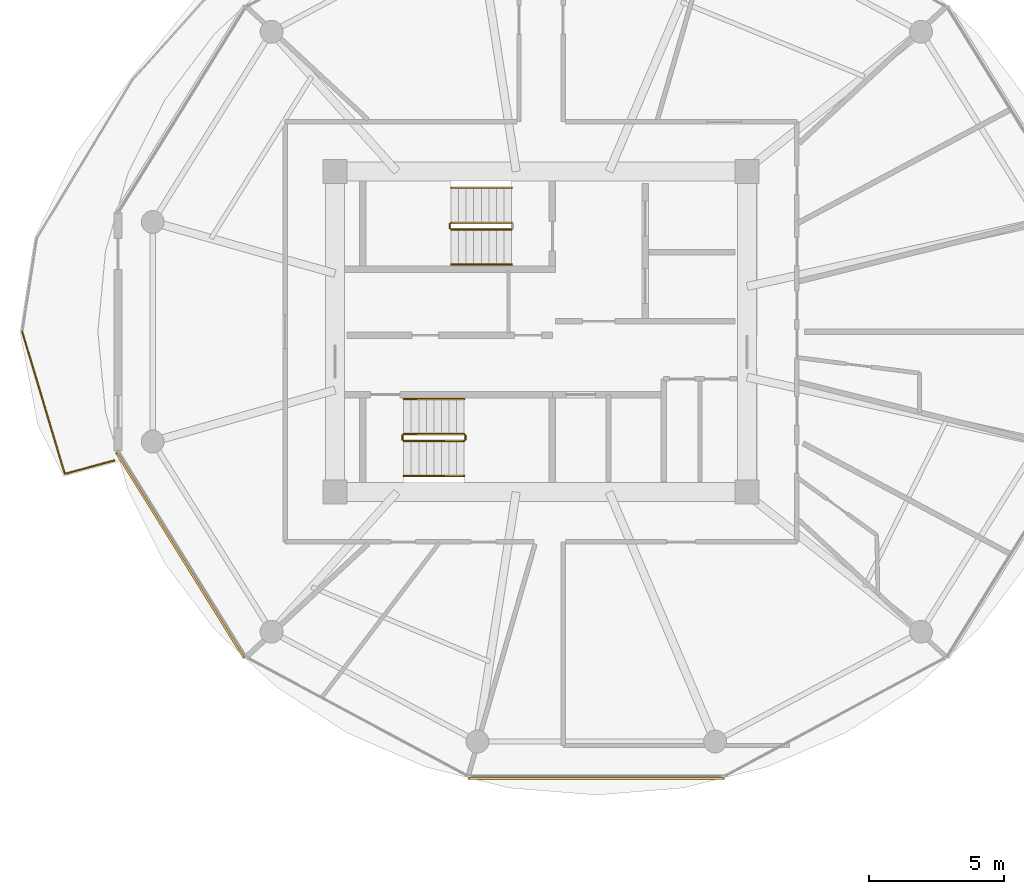
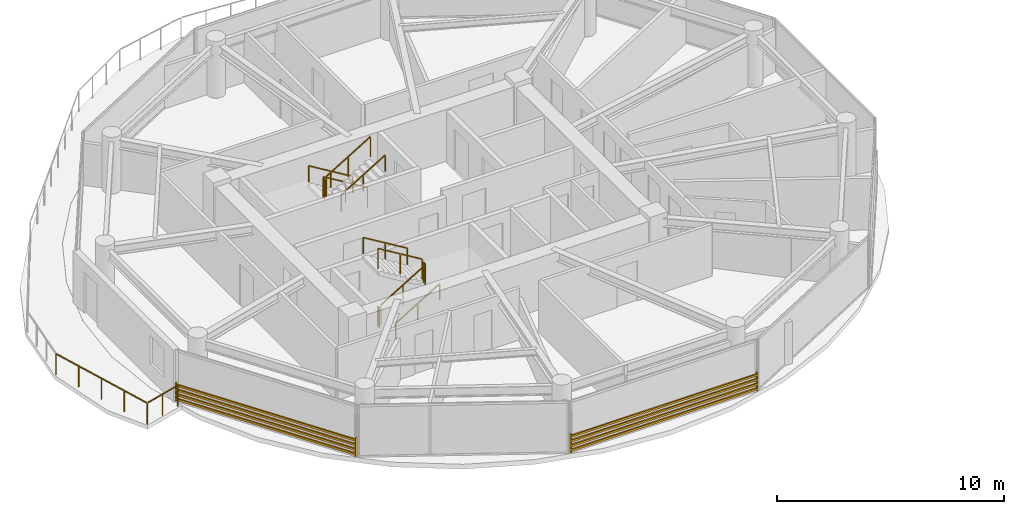
# One storey, part 19 of 22: 12 railings, 2 shading devices.
"""IFC4 building model written with IfcOpenShell, lengths in metres."""

from ifc_helpers import new_model, si_unit, direction, frame, origin, origin_2d, place, context, subcontext, project, spatial, rectangle, extrude, source, transform, mapped, material, type_object, type_shapes, element, save


model = new_model("IFC4")

# Units and contexts
model_context = context("Model", 3, precision=1e-05, world=origin(), true_north=direction((0.0, 1.0)))
body_context = subcontext(model_context, "Body", "Model", "MODEL_VIEW")
ifc_project = project(units=[si_unit("LENGTHUNIT", "METRE"), si_unit("AREAUNIT", "SQUARE_METRE"), si_unit("VOLUMEUNIT", "CUBIC_METRE"), si_unit("PLANEANGLEUNIT", "RADIAN"), si_unit("MASSUNIT", "GRAM", prefix="KILO")], contexts=[model_context])

# Site, building, storey
site_placement = place(None, origin())
site = spatial("IfcSite", under=ifc_project, at=site_placement, CompositionType="ELEMENT")
building_placement = place(site_placement, origin())
building = spatial("IfcBuilding", under=site, at=building_placement, Name="Norrkilde Senior Care Towers", CompositionType="ELEMENT")
storey_placement = place(building_placement, frame((0.0, 0.0, 87.10009765625)))
storey = spatial("IfcBuildingStorey", under=building, at=storey_placement, Name="L26", CompositionType="ELEMENT", Elevation=87.10009765625)

# Railings
ifc_material_1 = material(Name="Anodised Aluminium", Category="aluminium")
railing_type_1 = type_object("IfcRailingType", Name="Balcony Swirl Ribbon Guardrail 1150", PredefinedType="GUARDRAIL", material=ifc_material_1)
railing_1_placement = place(storey_placement, frame((-43.8408203125, -4.77490234375, 0.0)))
element("IfcRailing", 1, at=railing_1_placement, inside=storey, type_object=railing_type_1, Name="L26 Perimeter Safety Guard 04", PredefinedType="GUARDRAIL", context=body_context, shape_type="SweptSolid", body=[
    extrude(rectangle(XDim=0.048095703125, YDim=0.048095703125, at=origin_2d()), frame((0.0, 0.0, 1.1259765625), z_axis=(-0.965058618211, -0.262034088271, 0.0), x_axis=(0.262034088271, -0.965058618211, 0.0)), (0.0, 0.0, 1.0), 1.866455078125),
    extrude(rectangle(XDim=0.048095703125, YDim=0.048095703125, at=origin_2d()), frame((-1.852294921875, -0.460693359375, 1.1259765625), z_axis=(-0.287417008189, 0.957805545716, 0.0), x_axis=(-0.957805545716, -0.287417008189, 0.0)), (0.0, 0.0, 1.0), 5.4677734375),
    extrude(rectangle(XDim=0.0419921875, YDim=0.0419921875, at=origin_2d()), origin(), (0.0, 0.0, 1.0), 1.099853515625),
    extrude(rectangle(XDim=0.0419921875, YDim=0.0419921875, at=origin_2d()), frame((-0.92041015625, -0.25, 0.0)), (0.0, 0.0, 1.0), 1.099853515625),
    extrude(rectangle(XDim=0.0419921875, YDim=0.0419921875, at=origin_2d()), frame((-1.840576171875, -0.499755859375, 0.0)), (0.0, 0.0, 1.0), 1.099853515625),
    extrude(rectangle(XDim=0.0419921875, YDim=0.0419921875, at=origin_2d()), frame((-2.236328125, 0.8193359375, 0.0)), (0.0, 0.0, 1.0), 1.099853515625),
    extrude(rectangle(XDim=0.0419921875, YDim=0.0419921875, at=origin_2d()), frame((-2.63232421875, 2.13818359375, 0.0)), (0.0, 0.0, 1.0), 1.099853515625),
    extrude(rectangle(XDim=0.0419921875, YDim=0.0419921875, at=origin_2d()), frame((-3.028076171875, 3.457275390625, 0.0)), (0.0, 0.0, 1.0), 1.099853515625),
    extrude(rectangle(XDim=0.0419921875, YDim=0.0419921875, at=origin_2d()), frame((-3.423828125, 4.7763671875, 0.0)), (0.0, 0.0, 1.0), 1.099853515625),
])
ifc_material_2 = material(Name="Stainless Steel", Category="steel")
railing_type_2 = type_object("IfcRailingType", Name="Stair and Terrace Guardrail 1100", PredefinedType="GUARDRAIL", material=ifc_material_2)
railing_2_placement = place(storey_placement, frame((-29.10009765625, 4.050048828125, 0.16943359375)))
element("IfcRailing", 2, at=railing_2_placement, inside=storey, type_object=railing_type_2, Name="L26 ST-W1 stair guard 1", PredefinedType="GUARDRAIL", context=body_context, shape_type="SweptSolid", body=[
    extrude(rectangle(XDim=0.048095703125, YDim=0.048095703125, at=origin_2d()), frame((0.0, 0.0, 1.076171875), z_axis=(-0.855553338991, 0.0, 0.51771467445), x_axis=(0.0, -1.0, 0.0)), (0.0, 0.0, 1.0), 2.6181640625),
    extrude(rectangle(XDim=0.0419921875, YDim=0.0419921875, at=origin_2d()), origin(), (0.0, 0.0, 1.0), 1.050048828125),
    extrude(rectangle(XDim=0.0419921875, YDim=0.0419921875, at=origin_2d()), frame((-1.1201171875, 0.0, 0.677734375)), (0.0, 0.0, 1.0), 1.050048828125),
    extrude(rectangle(XDim=0.0419921875, YDim=0.0419921875, at=origin_2d()), frame((-2.239990234375, 0.0, 1.35546875)), (0.0, 0.0, 1.0), 1.050048828125),
])
railing_3_placement = place(storey_placement, frame((-31.389892578125, 4.0, 1.52490234375)))
element("IfcRailing", 3, at=railing_3_placement, inside=storey, type_object=railing_type_2, Name="L26 ST-W1 stair guard 2", PredefinedType="GUARDRAIL", context=body_context, shape_type="SweptSolid", body=[
    extrude(rectangle(XDim=0.048095703125, YDim=0.048095703125, at=origin_2d()), frame((0.0, 0.0, 1.076171875), z_axis=(0.0, -1.0, 0.0), x_axis=(1.0, 0.0, 0.0)), (0.0, 0.0, 1.0), 0.14990234375),
    extrude(rectangle(XDim=0.0419921875, YDim=0.0419921875, at=origin_2d()), origin(), (0.0, 0.0, 1.0), 1.050048828125),
    extrude(rectangle(XDim=0.0419921875, YDim=0.0419921875, at=origin_2d()), frame((0.0, -0.14990234375, 0.0)), (0.0, 0.0, 1.0), 1.050048828125),
])
for number, where, name in (
    (4, (-31.340087890625, 3.800048828125, 1.6943359375), "L26 ST-W1 stair guard 3"),
    (5, (-33.10009765625, -4.050048828125, 0.16943359375), "L26 ST-W2 stair guard 1"),
):
    element("IfcRailing", number, at=place(storey_placement, frame(where)), inside=storey, type_object=railing_type_2, Name=name, PredefinedType="GUARDRAIL", context=body_context, shape_type="SweptSolid", body=[
        extrude(rectangle(XDim=0.048095703125, YDim=0.048095703125, at=origin_2d()), frame((0.0, 0.0, 1.076171875), z_axis=(0.855553338991, 0.0, 0.51771467445), x_axis=(0.0, 1.0, 0.0)), (0.0, 0.0, 1.0), 2.6181640625),
        extrude(rectangle(XDim=0.0419921875, YDim=0.0419921875, at=origin_2d()), origin(), (0.0, 0.0, 1.0), 1.050048828125),
        extrude(rectangle(XDim=0.0419921875, YDim=0.0419921875, at=origin_2d()), frame((1.1201171875, 0.0, 0.677734375)), (0.0, 0.0, 1.0), 1.050048828125),
        extrude(rectangle(XDim=0.0419921875, YDim=0.0419921875, at=origin_2d()), frame((2.239990234375, 0.0, 1.35546875)), (0.0, 0.0, 1.0), 1.050048828125),
    ])
railing_4_placement = place(storey_placement, frame((-30.81005859375, -4.0, 1.52490234375)))
element("IfcRailing", 6, at=railing_4_placement, inside=storey, type_object=railing_type_2, Name="L26 ST-W2 stair guard 2", PredefinedType="GUARDRAIL", context=body_context, shape_type="SweptSolid", body=[
    extrude(rectangle(XDim=0.048095703125, YDim=0.048095703125, at=origin_2d()), frame((0.0, 0.0, 1.076171875), z_axis=(0.0, 1.0, 0.0), x_axis=(-1.0, 0.0, 0.0)), (0.0, 0.0, 1.0), 0.14990234375),
    extrude(rectangle(XDim=0.0419921875, YDim=0.0419921875, at=origin_2d()), origin(), (0.0, 0.0, 1.0), 1.050048828125),
    extrude(rectangle(XDim=0.0419921875, YDim=0.0419921875, at=origin_2d()), frame((0.0, 0.14990234375, 0.0)), (0.0, 0.0, 1.0), 1.050048828125),
])
railing_5_placement = place(storey_placement, frame((-30.860107421875, -3.800048828125, 1.6943359375)))
element("IfcRailing", 7, at=railing_5_placement, inside=storey, type_object=railing_type_2, Name="L26 ST-W2 stair guard 3", PredefinedType="GUARDRAIL", context=body_context, shape_type="SweptSolid", body=[
    extrude(rectangle(XDim=0.048095703125, YDim=0.048095703125, at=origin_2d()), frame((0.0, 0.0, 1.076171875), z_axis=(-0.855553338991, 0.0, 0.51771467445), x_axis=(0.0, -1.0, 0.0)), (0.0, 0.0, 1.0), 2.6181640625),
    extrude(rectangle(XDim=0.0419921875, YDim=0.0419921875, at=origin_2d()), origin(), (0.0, 0.0, 1.0), 1.050048828125),
    extrude(rectangle(XDim=0.0419921875, YDim=0.0419921875, at=origin_2d()), frame((-1.1201171875, 0.0, 0.677734375)), (0.0, 0.0, 1.0), 1.050048828125),
    extrude(rectangle(XDim=0.0419921875, YDim=0.0419921875, at=origin_2d()), frame((-2.239990234375, 0.0, 1.35546875)), (0.0, 0.0, 1.0), 1.050048828125),
])
railing_6_placement = place(storey_placement, frame((-33.14990234375, -4.0, 0.0)))
element("IfcRailing", 8, at=railing_6_placement, inside=storey, type_object=railing_type_2, Name="L26 ST-W2 stair guard 4", PredefinedType="GUARDRAIL", context=body_context, shape_type="SweptSolid", body=[
    extrude(rectangle(XDim=0.048095703125, YDim=0.048095703125, at=origin_2d()), frame((0.0, 0.0, 1.076171875), z_axis=(0.0, 1.0, 0.0), x_axis=(-1.0, 0.0, 0.0)), (0.0, 0.0, 1.0), 0.14990234375),
    extrude(rectangle(XDim=0.0419921875, YDim=0.0419921875, at=origin_2d()), origin(), (0.0, 0.0, 1.0), 1.050048828125),
    extrude(rectangle(XDim=0.0419921875, YDim=0.0419921875, at=origin_2d()), frame((0.0, 0.14990234375, 0.0)), (0.0, 0.0, 1.0), 1.050048828125),
])
ifc_material_3 = material(Name="Nordic Ash Timber", Category="wood")
railing_type_3 = type_object("IfcRailingType", Name="Wall and Stair Handrail 900", PredefinedType="HANDRAIL", material=ifc_material_3)
railing_7_placement = place(storey_placement, frame((-29.10009765625, 5.35009765625, 0.16943359375)))
element("IfcRailing", 9, at=railing_7_placement, inside=storey, type_object=railing_type_3, Name="L26 ST-W1 stair handrail 1", PredefinedType="HANDRAIL", context=body_context, shape_type="SweptSolid", body=[
    extrude(rectangle(XDim=0.048095703125, YDim=0.048095703125, at=origin_2d()), frame((0.0, 0.0, 0.8759765625), z_axis=(-0.855553338991, 0.0, 0.51771467445), x_axis=(0.0, -1.0, 0.0)), (0.0, 0.0, 1.0), 2.6181640625),
    extrude(rectangle(XDim=0.0419921875, YDim=0.0419921875, at=origin_2d()), origin(), (0.0, 0.0, 1.0), 0.849853515625),
    extrude(rectangle(XDim=0.0419921875, YDim=0.0419921875, at=origin_2d()), frame((-1.1201171875, 0.0, 0.677734375)), (0.0, 0.0, 1.0), 0.849853515625),
    extrude(rectangle(XDim=0.0419921875, YDim=0.0419921875, at=origin_2d()), frame((-2.239990234375, 0.0, 1.35546875)), (0.0, 0.0, 1.0), 0.849853515625),
])
for number, where, name in (
    (10, (-31.340087890625, 2.5, 1.6943359375), "L26 ST-W1 stair handrail 2"),
    (11, (-33.10009765625, -5.35009765625, 0.16943359375), "L26 ST-W2 stair handrail 1"),
):
    element("IfcRailing", number, at=place(storey_placement, frame(where)), inside=storey, type_object=railing_type_3, Name=name, PredefinedType="HANDRAIL", context=body_context, shape_type="SweptSolid", body=[
        extrude(rectangle(XDim=0.048095703125, YDim=0.048095703125, at=origin_2d()), frame((0.0, 0.0, 0.8759765625), z_axis=(0.855553338991, 0.0, 0.51771467445), x_axis=(0.0, 1.0, 0.0)), (0.0, 0.0, 1.0), 2.6181640625),
        extrude(rectangle(XDim=0.0419921875, YDim=0.0419921875, at=origin_2d()), origin(), (0.0, 0.0, 1.0), 0.849853515625),
        extrude(rectangle(XDim=0.0419921875, YDim=0.0419921875, at=origin_2d()), frame((1.1201171875, 0.0, 0.677734375)), (0.0, 0.0, 1.0), 0.849853515625),
        extrude(rectangle(XDim=0.0419921875, YDim=0.0419921875, at=origin_2d()), frame((2.239990234375, 0.0, 1.35546875)), (0.0, 0.0, 1.0), 0.849853515625),
    ])
railing_8_placement = place(storey_placement, frame((-30.860107421875, -2.5, 1.6943359375)))
element("IfcRailing", 12, at=railing_8_placement, inside=storey, type_object=railing_type_3, Name="L26 ST-W2 stair handrail 2", PredefinedType="HANDRAIL", context=body_context, shape_type="SweptSolid", body=[
    extrude(rectangle(XDim=0.048095703125, YDim=0.048095703125, at=origin_2d()), frame((0.0, 0.0, 0.8759765625), z_axis=(-0.855553338991, 0.0, 0.51771467445), x_axis=(0.0, -1.0, 0.0)), (0.0, 0.0, 1.0), 2.6181640625),
    extrude(rectangle(XDim=0.0419921875, YDim=0.0419921875, at=origin_2d()), origin(), (0.0, 0.0, 1.0), 0.849853515625),
    extrude(rectangle(XDim=0.0419921875, YDim=0.0419921875, at=origin_2d()), frame((-1.1201171875, 0.0, 0.677734375)), (0.0, 0.0, 1.0), 0.849853515625),
    extrude(rectangle(XDim=0.0419921875, YDim=0.0419921875, at=origin_2d()), frame((-2.239990234375, 0.0, 1.35546875)), (0.0, 0.0, 1.0), 0.849853515625),
])

# Shading devices
ifc_material_4 = material(Name="Architectural Terracotta", Category="masonry")
shading_device_type = type_object("IfcShadingDeviceType", Name="Horizontal Terracotta Baguette Rack", PredefinedType="USERDEFINED", material=ifc_material_4)
shared_shape_1 = source(origin(), body_context, "Body", "SweptSolid", [
    extrude(rectangle(XDim=0.070068359375, YDim=0.110107421875, at=origin_2d()), frame((0.0, 0.090087890625, 0.125), z_axis=(1.0, 0.0, 0.0), x_axis=(0.0, 1.0, 0.0)), (0.0, 0.0, 1.0), 9.01416015625),
    extrude(rectangle(XDim=0.070068359375, YDim=0.110107421875, at=origin_2d()), frame((0.0, 0.090087890625, 0.375), z_axis=(1.0, 0.0, 0.0), x_axis=(0.0, 1.0, 0.0)), (0.0, 0.0, 1.0), 9.01416015625),
    extrude(rectangle(XDim=0.070068359375, YDim=0.110107421875, at=origin_2d()), frame((0.0, 0.090087890625, 0.625), z_axis=(1.0, 0.0, 0.0), x_axis=(0.0, 1.0, 0.0)), (0.0, 0.0, 1.0), 9.01416015625),
    extrude(rectangle(XDim=0.070068359375, YDim=0.110107421875, at=origin_2d()), frame((0.0, 0.090087890625, 0.875), z_axis=(1.0, 0.0, 0.0), x_axis=(0.0, 1.0, 0.0)), (0.0, 0.0, 1.0), 9.01416015625),
    extrude(rectangle(XDim=0.050048828125, YDim=0.1552734375, at=origin_2d()), frame((0.02490234375, 0.047607421875, 0.0)), (0.0, 0.0, 1.0), 1.0),
    extrude(rectangle(XDim=0.050048828125, YDim=0.1552734375, at=origin_2d()), frame((8.9892578125, 0.047607421875, 0.0)), (0.0, 0.0, 1.0), 1.0),
])
shading_device_1_placement = place(storey_placement, frame((-38.946533203125, -12.077392578125, 0.079833984375), z_axis=(0.0, 0.0, 1.0), x_axis=(-0.527734142246, 0.849412274525, 0.0)))
element("IfcShadingDevice", 13, at=shading_device_1_placement, inside=storey, type_object=shading_device_type, Name="L26 Drum W Terracotta Baguette Screen 06", ObjectType="BAGUETTE", PredefinedType="USERDEFINED", context=body_context, shape_type="MappedRepresentation", body=[
    mapped(shared_shape_1, transform((0.0, 0.0, 0.0), x_axis=(1.0, 0.0, 0.0), y_axis=(0.0, 1.0, 0.0), z_axis=(0.0, 0.0, 1.0), scale=1.0)),
])
shared_shape_2 = source(origin(), body_context, "Body", "SweptSolid", [
    extrude(rectangle(XDim=0.070068359375, YDim=0.110107421875, at=origin_2d()), frame((0.0, 0.090087890625, 0.125), z_axis=(1.0, 0.0, 0.0), x_axis=(0.0, 1.0, 0.0)), (0.0, 0.0, 1.0), 9.51416015625),
    extrude(rectangle(XDim=0.070068359375, YDim=0.110107421875, at=origin_2d()), frame((0.0, 0.090087890625, 0.375), z_axis=(1.0, 0.0, 0.0), x_axis=(0.0, 1.0, 0.0)), (0.0, 0.0, 1.0), 9.51416015625),
    extrude(rectangle(XDim=0.070068359375, YDim=0.110107421875, at=origin_2d()), frame((0.0, 0.090087890625, 0.625), z_axis=(1.0, 0.0, 0.0), x_axis=(0.0, 1.0, 0.0)), (0.0, 0.0, 1.0), 9.51416015625),
    extrude(rectangle(XDim=0.070068359375, YDim=0.110107421875, at=origin_2d()), frame((0.0, 0.090087890625, 0.875), z_axis=(1.0, 0.0, 0.0), x_axis=(0.0, 1.0, 0.0)), (0.0, 0.0, 1.0), 9.51416015625),
    extrude(rectangle(XDim=0.050048828125, YDim=0.1552734375, at=origin_2d()), frame((0.02490234375, 0.047607421875, 0.0)), (0.0, 0.0, 1.0), 1.0),
    extrude(rectangle(XDim=0.050048828125, YDim=0.1552734375, at=origin_2d()), frame((9.4892578125, 0.047607421875, 0.0)), (0.0, 0.0, 1.0), 1.0),
])
type_shapes(shading_device_type, [shared_shape_1, shared_shape_2])
shading_device_2_placement = place(storey_placement, frame((-21.19287109375, -16.498046875, 0.079833984375), z_axis=(0.0, 0.0, 1.0), x_axis=(-1.0, 0.0, 0.0)))
element("IfcShadingDevice", 14, at=shading_device_2_placement, inside=storey, type_object=shading_device_type, Name="L26 Drum W Terracotta Baguette Screen 08", ObjectType="BAGUETTE", PredefinedType="USERDEFINED", context=body_context, shape_type="MappedRepresentation", body=[
    mapped(shared_shape_2, transform((0.0, 0.0, 0.0), x_axis=(1.0, 0.0, 0.0), y_axis=(0.0, 1.0, 0.0), z_axis=(0.0, 0.0, 1.0), scale=1.0)),
])

save(model, "model.ifc")
